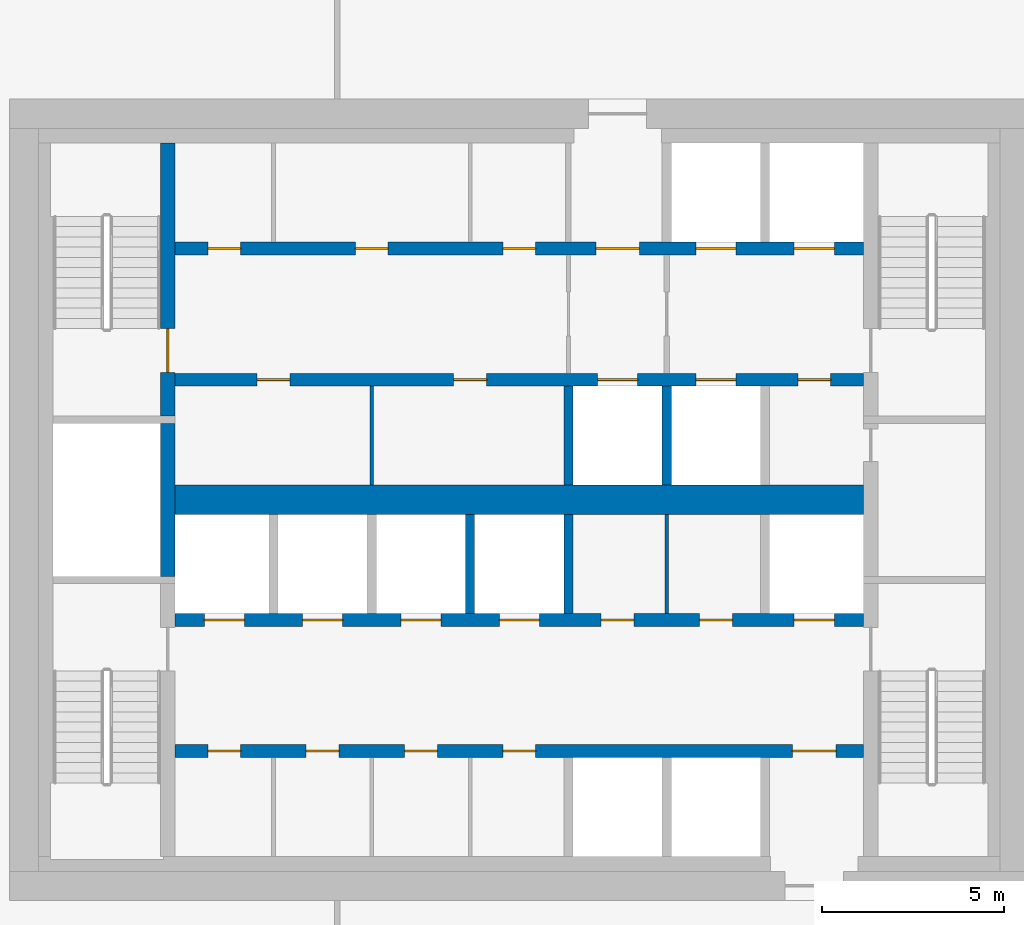
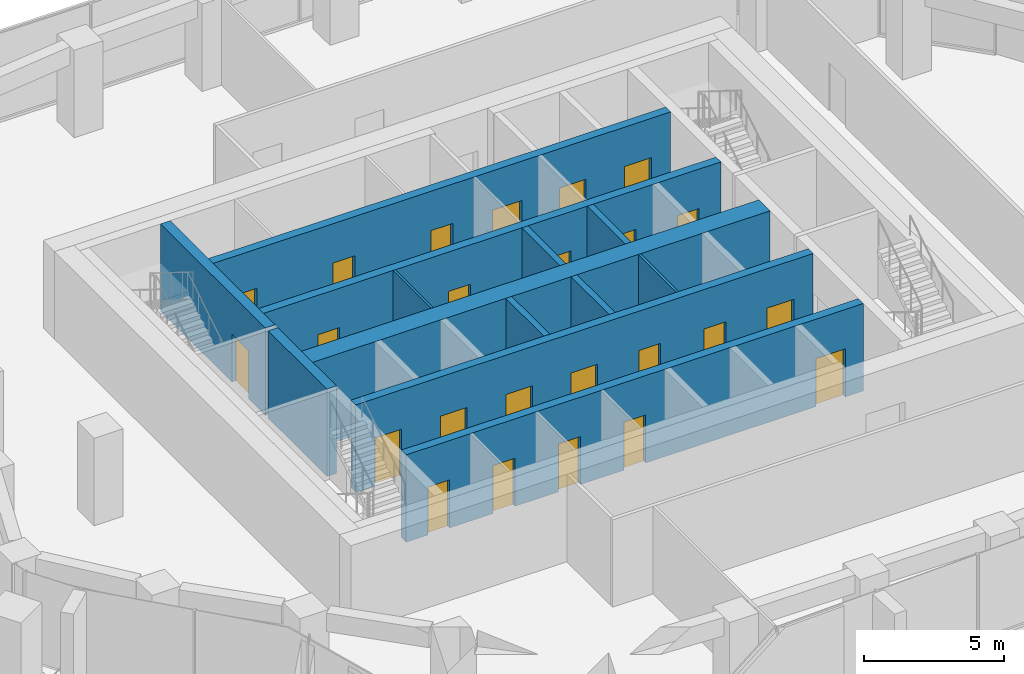
# One storey, part 12 of 18: 24 doors, 13 walls, 24 openings.
"""IFC4 building model written with IfcOpenShell, lengths in metres."""

from ifc_helpers import new_model, si_unit, direction, frame, frame_2d, origin, place, context, subcontext, project, spatial, rectangle, extrude, material, layer, layer_set, type_object, element, fill, save


model = new_model("IFC4")

# Units and contexts
model_context = context("Model", 3, precision=1e-05, world=origin(), true_north=direction((0.0, 1.0)))
body_context = subcontext(model_context, "Body", "Model", "MODEL_VIEW")
ifc_project = project(units=[si_unit("LENGTHUNIT", "METRE"), si_unit("AREAUNIT", "SQUARE_METRE"), si_unit("VOLUMEUNIT", "CUBIC_METRE"), si_unit("PLANEANGLEUNIT", "RADIAN"), si_unit("MASSUNIT", "GRAM", prefix="KILO")], contexts=[model_context])

# Site, building, storey
site_placement = place(None, origin())
site = spatial("IfcSite", under=ifc_project, at=site_placement, CompositionType="ELEMENT")
building_placement = place(site_placement, origin())
building = spatial("IfcBuilding", under=site, at=building_placement, Name="Dongbaek Canopy Tower", CompositionType="ELEMENT")
storey_placement = place(building_placement, frame((0.0, 0.0, 203.0)))
storey = spatial("IfcBuildingStorey", under=building, at=storey_placement, Name="L42", CompositionType="ELEMENT", Elevation=203.0)

# Wall
ifc_material_1 = material(Name="Concrete C60/75", Category="concrete")
ifc_layer_1 = layer(ifc_material_1, 0.800048828125)
ifc_layer_set_1 = layer_set([ifc_layer_1], Name="Core central wall 800 Concrete C60/75")
wall_type_1 = type_object("IfcWallType", Name="Core central wall 800 Concrete C60/75", PredefinedType="SHEAR", material=ifc_layer_set_1)
wall_1_placement = place(storey_placement, frame((-9.449951171875, 0.0, 0.0), z_axis=(0.0, 0.0, 1.0), x_axis=(1.0, 0.0, 0.0)))
element("IfcWall", 1, at=wall_1_placement, inside=storey, type_object=wall_type_1, Name="Core wall", PredefinedType="SHEAR", context=body_context, shape_type="SweptSolid", body=[
    extrude(rectangle(XDim=18.89990234375, YDim=0.800048828125, at=frame_2d((9.449951171875, 0.0))), origin(), (0.0, 0.0, 1.0), 3.820068359375),
])

# Wall, openings, doors
ifc_material_2 = material(Name="Concrete C60/75", Category="concrete")
ifc_layer_2 = layer(ifc_material_2, 0.35009765625)
ifc_layer_set_2 = layer_set([ifc_layer_2], Name="Core lobby wall 350 Concrete C60/75")
wall_type_2 = type_object("IfcWallType", Name="Core lobby wall 350 Concrete C60/75", PredefinedType="SHEAR", material=ifc_layer_set_2)
wall_2_placement = place(storey_placement, frame((-9.449951171875, 6.89990234375, 0.0), z_axis=(0.0, 0.0, 1.0), x_axis=(1.0, 0.0, 0.0)))
wall_2 = element("IfcWall", 2, at=wall_2_placement, inside=storey, type_object=wall_type_2, Name="Core wall", PredefinedType="SHEAR", context=body_context, shape_type="SweptSolid", body=[
    extrude(rectangle(XDim=18.89990234375, YDim=0.35009765625, at=frame_2d((9.449951171875, 0.0))), origin(), (0.0, 0.0, 1.0), 3.820068359375),
])
opening_1_placement = place(wall_2_placement, frame((11.550048828125, 0.0, 0.0)))
opening_1 = element("IfcOpeningElement", 3, at=opening_1_placement, cuts=wall_2, Name="Opening L42-D007", PredefinedType="OPENING", context=body_context, shape_type="SweptSolid", body=[
    extrude(rectangle(XDim=1.199951171875, YDim=2.10009765625, at=frame_2d((0.60009765625, 1.050048828125))), frame((0.0, 0.18505859375, 0.0), z_axis=(0.0, -1.0, 0.0), x_axis=(1.0, 0.0, 0.0)), (0.0, 0.0, 1.0), 0.3701171875),
])
opening_2_placement = place(wall_2_placement, frame((14.300048828125, 0.0, 0.0)))
opening_2 = element("IfcOpeningElement", 4, at=opening_2_placement, cuts=wall_2, Name="Opening L42-D008", PredefinedType="OPENING", context=body_context, shape_type="SweptSolid", body=[
    extrude(rectangle(XDim=1.10009765625, YDim=2.10009765625, at=frame_2d((0.550048828125, 1.050048828125))), frame((0.0, 0.18505859375, 0.0), z_axis=(0.0, -1.0, 0.0), x_axis=(1.0, 0.0, 0.0)), (0.0, 0.0, 1.0), 0.3701171875),
])
opening_3_placement = place(wall_2_placement, frame((17.0, 0.0, 0.0)))
opening_3 = element("IfcOpeningElement", 5, at=opening_3_placement, cuts=wall_2, Name="Opening L42-D009", PredefinedType="OPENING", context=body_context, shape_type="SweptSolid", body=[
    extrude(rectangle(XDim=1.10009765625, YDim=2.10009765625, at=frame_2d((0.550048828125, 1.050048828125))), frame((0.0, 0.18505859375, 0.0), z_axis=(0.0, -1.0, 0.0), x_axis=(1.0, 0.0, 0.0)), (0.0, 0.0, 1.0), 0.3701171875),
])
opening_4_placement = place(wall_2_placement, frame((0.89990234375, 0.0, 0.0)))
opening_4 = element("IfcOpeningElement", 6, at=opening_4_placement, cuts=wall_2, Name="Opening L42-D020", PredefinedType="OPENING", context=body_context, shape_type="SweptSolid", body=[
    extrude(rectangle(XDim=0.89990234375, YDim=2.10009765625, at=frame_2d((0.449951171875, 1.050048828125))), frame((0.0, 0.18505859375, 0.0), z_axis=(0.0, -1.0, 0.0), x_axis=(1.0, 0.0, 0.0)), (0.0, 0.0, 1.0), 0.3701171875),
])
opening_5_placement = place(wall_2_placement, frame((4.949951171875, 0.0, 0.0)))
opening_5 = element("IfcOpeningElement", 7, at=opening_5_placement, cuts=wall_2, Name="Opening L42-D021", PredefinedType="OPENING", context=body_context, shape_type="SweptSolid", body=[
    extrude(rectangle(XDim=0.89990234375, YDim=2.10009765625, at=frame_2d((0.449951171875, 1.050048828125))), frame((0.0, 0.18505859375, 0.0), z_axis=(0.0, -1.0, 0.0), x_axis=(1.0, 0.0, 0.0)), (0.0, 0.0, 1.0), 0.3701171875),
])
opening_6_placement = place(wall_2_placement, frame((9.0, 0.0, 0.0)))
opening_6 = element("IfcOpeningElement", 8, at=opening_6_placement, cuts=wall_2, Name="Opening L42-D022", PredefinedType="OPENING", context=body_context, shape_type="SweptSolid", body=[
    extrude(rectangle(XDim=0.89990234375, YDim=2.10009765625, at=frame_2d((0.449951171875, 1.050048828125))), frame((0.0, 0.18505859375, 0.0), z_axis=(0.0, -1.0, 0.0), x_axis=(1.0, 0.0, 0.0)), (0.0, 0.0, 1.0), 0.3701171875),
])
ifc_material_3 = material(Name="Steel", Category="steel")
door_type_1 = type_object("IfcDoorType", Name="Core room door 900 x 2100", OperationType="SINGLE_SWING_LEFT", PredefinedType="DOOR", material=ifc_material_3)
door_1_placement = place(opening_4_placement, origin())
door_1 = element("IfcDoor", 9, at=door_1_placement, inside=storey, type_object=door_type_1, Name="Door L42-D020", OperationType="SINGLE_SWING_RIGHT", OverallHeight=2.10009765625, OverallWidth=0.89990234375, PredefinedType="DOOR", context=body_context, shape_type="SweptSolid", body=[
    extrude(rectangle(XDim=0.89990234375, YDim=2.10009765625, at=frame_2d((0.449951171875, 1.050048828125))), frame((0.0, 0.02490234375, 0.0), z_axis=(0.0, -1.0, 0.0), x_axis=(1.0, 0.0, 0.0)), (0.0, 0.0, 1.0), 0.050048828125),
])
fill(opening_4, door_1)
door_2_placement = place(opening_5_placement, origin())
door_2 = element("IfcDoor", 10, at=door_2_placement, inside=storey, type_object=door_type_1, Name="Door L42-D021", OperationType="SINGLE_SWING_LEFT", OverallHeight=2.10009765625, OverallWidth=0.89990234375, PredefinedType="DOOR", context=body_context, shape_type="SweptSolid", body=[
    extrude(rectangle(XDim=0.89990234375, YDim=2.10009765625, at=frame_2d((0.449951171875, 1.050048828125))), frame((0.0, 0.02490234375, 0.0), z_axis=(0.0, -1.0, 0.0), x_axis=(1.0, 0.0, 0.0)), (0.0, 0.0, 1.0), 0.050048828125),
])
fill(opening_5, door_2)
door_3_placement = place(opening_6_placement, origin())
door_3 = element("IfcDoor", 11, at=door_3_placement, inside=storey, type_object=door_type_1, Name="Door L42-D022", OperationType="SINGLE_SWING_RIGHT", OverallHeight=2.10009765625, OverallWidth=0.89990234375, PredefinedType="DOOR", context=body_context, shape_type="SweptSolid", body=[
    extrude(rectangle(XDim=0.89990234375, YDim=2.10009765625, at=frame_2d((0.449951171875, 1.050048828125))), frame((0.0, 0.02490234375, 0.0), z_axis=(0.0, -1.0, 0.0), x_axis=(1.0, 0.0, 0.0)), (0.0, 0.0, 1.0), 0.050048828125),
])
fill(opening_6, door_3)
ifc_material_4 = material(Name="Steel", Category="steel")
door_type_2 = type_object("IfcDoorType", Name="Fire lobby door 1200 x 2100", OperationType="SINGLE_SWING_LEFT", PredefinedType="DOOR", material=ifc_material_4)
door_4_placement = place(opening_1_placement, origin())
door_4 = element("IfcDoor", 12, at=door_4_placement, inside=storey, type_object=door_type_2, Name="Door L42-D007", OperationType="SINGLE_SWING_LEFT", OverallHeight=2.10009765625, OverallWidth=1.199951171875, PredefinedType="DOOR", context=body_context, shape_type="SweptSolid", body=[
    extrude(rectangle(XDim=1.199951171875, YDim=2.10009765625, at=frame_2d((0.60009765625, 1.050048828125))), frame((0.0, 0.02490234375, 0.0), z_axis=(0.0, -1.0, 0.0), x_axis=(1.0, 0.0, 0.0)), (0.0, 0.0, 1.0), 0.050048828125),
])
fill(opening_1, door_4)
ifc_material_5 = material(Name="Stainless steel", Category="steel")
door_type_3 = type_object("IfcDoorType", Name="Lift landing door 1100 x 2100", OperationType="DOUBLE_DOOR_SLIDING", PredefinedType="DOOR", material=ifc_material_5)
door_5_placement = place(opening_2_placement, origin())
door_5 = element("IfcDoor", 13, at=door_5_placement, inside=storey, type_object=door_type_3, Name="Landing door FF1", OperationType="DOUBLE_DOOR_SLIDING", OverallHeight=2.10009765625, OverallWidth=1.10009765625, PredefinedType="DOOR", context=body_context, shape_type="SweptSolid", body=[
    extrude(rectangle(XDim=1.10009765625, YDim=2.10009765625, at=frame_2d((0.550048828125, 1.050048828125))), frame((0.0, 0.02490234375, 0.0), z_axis=(0.0, -1.0, 0.0), x_axis=(1.0, 0.0, 0.0)), (0.0, 0.0, 1.0), 0.050048828125),
])
fill(opening_2, door_5)
door_6_placement = place(opening_3_placement, origin())
door_6 = element("IfcDoor", 14, at=door_6_placement, inside=storey, type_object=door_type_3, Name="Landing door FF2", OperationType="DOUBLE_DOOR_SLIDING", OverallHeight=2.10009765625, OverallWidth=1.10009765625, PredefinedType="DOOR", context=body_context, shape_type="SweptSolid", body=[
    extrude(rectangle(XDim=1.10009765625, YDim=2.10009765625, at=frame_2d((0.550048828125, 1.050048828125))), frame((0.0, 0.02490234375, 0.0), z_axis=(0.0, -1.0, 0.0), x_axis=(1.0, 0.0, 0.0)), (0.0, 0.0, 1.0), 0.050048828125),
])
fill(opening_3, door_6)

wall_3_placement = place(storey_placement, frame((9.449951171875, 3.300048828125, 0.0), z_axis=(0.0, 0.0, 1.0), x_axis=(-1.0, 0.0, 0.0)))
wall_3 = element("IfcWall", 15, at=wall_3_placement, inside=storey, type_object=wall_type_2, Name="Core wall", PredefinedType="SHEAR", context=body_context, shape_type="SweptSolid", body=[
    extrude(rectangle(XDim=18.89990234375, YDim=0.35009765625, at=frame_2d((9.449951171875, 0.0))), origin(), (0.0, 0.0, 1.0), 3.820068359375),
])
opening_7_placement = place(wall_3_placement, frame((6.199951171875, 0.0, 0.0)))
opening_7 = element("IfcOpeningElement", 16, at=opening_7_placement, cuts=wall_3, Name="Opening L42-D010", PredefinedType="OPENING", context=body_context, shape_type="SweptSolid", body=[
    extrude(rectangle(XDim=1.10009765625, YDim=2.10009765625, at=frame_2d((0.550048828125, 1.050048828125))), frame((0.0, 0.18505859375, 0.0), z_axis=(0.0, -1.0, 0.0), x_axis=(1.0, 0.0, 0.0)), (0.0, 0.0, 1.0), 0.3701171875),
])
opening_8_placement = place(wall_3_placement, frame((3.5, 0.0, 0.0)))
opening_8 = element("IfcOpeningElement", 17, at=opening_8_placement, cuts=wall_3, Name="Opening L42-D011", PredefinedType="OPENING", context=body_context, shape_type="SweptSolid", body=[
    extrude(rectangle(XDim=1.10009765625, YDim=2.10009765625, at=frame_2d((0.550048828125, 1.050048828125))), frame((0.0, 0.18505859375, 0.0), z_axis=(0.0, -1.0, 0.0), x_axis=(1.0, 0.0, 0.0)), (0.0, 0.0, 1.0), 0.3701171875),
])
opening_9_placement = place(wall_3_placement, frame((0.89990234375, 0.0, 0.0)))
opening_9 = element("IfcOpeningElement", 18, at=opening_9_placement, cuts=wall_3, Name="Opening L42-D012", PredefinedType="OPENING", context=body_context, shape_type="SweptSolid", body=[
    extrude(rectangle(XDim=0.89990234375, YDim=2.10009765625, at=frame_2d((0.449951171875, 1.050048828125))), frame((0.0, 0.18505859375, 0.0), z_axis=(0.0, -1.0, 0.0), x_axis=(1.0, 0.0, 0.0)), (0.0, 0.0, 1.0), 0.3701171875),
])
opening_10_placement = place(wall_3_placement, frame((15.75, 0.0, 0.0)))
opening_10 = element("IfcOpeningElement", 19, at=opening_10_placement, cuts=wall_3, Name="Opening L42-D023", PredefinedType="OPENING", context=body_context, shape_type="SweptSolid", body=[
    extrude(rectangle(XDim=0.89990234375, YDim=2.10009765625, at=frame_2d((0.449951171875, 1.050048828125))), frame((0.0, 0.18505859375, 0.0), z_axis=(0.0, -1.0, 0.0), x_axis=(1.0, 0.0, 0.0)), (0.0, 0.0, 1.0), 0.3701171875),
])
opening_11_placement = place(wall_3_placement, frame((10.35009765625, 0.0, 0.0)))
opening_11 = element("IfcOpeningElement", 20, at=opening_11_placement, cuts=wall_3, Name="Opening L42-D024", PredefinedType="OPENING", context=body_context, shape_type="SweptSolid", body=[
    extrude(rectangle(XDim=0.89990234375, YDim=2.10009765625, at=frame_2d((0.449951171875, 1.050048828125))), frame((0.0, 0.18505859375, 0.0), z_axis=(0.0, -1.0, 0.0), x_axis=(1.0, 0.0, 0.0)), (0.0, 0.0, 1.0), 0.3701171875),
])
door_7_placement = place(opening_9_placement, origin())
door_7 = element("IfcDoor", 21, at=door_7_placement, inside=storey, type_object=door_type_1, Name="Door L42-D012", OperationType="SINGLE_SWING_LEFT", OverallHeight=2.10009765625, OverallWidth=0.89990234375, PredefinedType="DOOR", context=body_context, shape_type="SweptSolid", body=[
    extrude(rectangle(XDim=0.89990234375, YDim=2.10009765625, at=frame_2d((0.449951171875, 1.050048828125))), frame((0.0, 0.02490234375, 0.0), z_axis=(0.0, -1.0, 0.0), x_axis=(1.0, 0.0, 0.0)), (0.0, 0.0, 1.0), 0.050048828125),
])
fill(opening_9, door_7)
door_8_placement = place(opening_10_placement, origin())
door_8 = element("IfcDoor", 22, at=door_8_placement, inside=storey, type_object=door_type_1, Name="Door L42-D023", OperationType="SINGLE_SWING_LEFT", OverallHeight=2.10009765625, OverallWidth=0.89990234375, PredefinedType="DOOR", context=body_context, shape_type="SweptSolid", body=[
    extrude(rectangle(XDim=0.89990234375, YDim=2.10009765625, at=frame_2d((0.449951171875, 1.050048828125))), frame((0.0, 0.02490234375, 0.0), z_axis=(0.0, -1.0, 0.0), x_axis=(1.0, 0.0, 0.0)), (0.0, 0.0, 1.0), 0.050048828125),
])
fill(opening_10, door_8)
door_9_placement = place(opening_11_placement, origin())
door_9 = element("IfcDoor", 23, at=door_9_placement, inside=storey, type_object=door_type_1, Name="Door L42-D024", OperationType="SINGLE_SWING_RIGHT", OverallHeight=2.10009765625, OverallWidth=0.89990234375, PredefinedType="DOOR", context=body_context, shape_type="SweptSolid", body=[
    extrude(rectangle(XDim=0.89990234375, YDim=2.10009765625, at=frame_2d((0.449951171875, 1.050048828125))), frame((0.0, 0.02490234375, 0.0), z_axis=(0.0, -1.0, 0.0), x_axis=(1.0, 0.0, 0.0)), (0.0, 0.0, 1.0), 0.050048828125),
])
fill(opening_11, door_9)
door_10_placement = place(opening_7_placement, origin())
door_10 = element("IfcDoor", 24, at=door_10_placement, inside=storey, type_object=door_type_3, Name="Landing door SV1", OperationType="DOUBLE_DOOR_SLIDING", OverallHeight=2.10009765625, OverallWidth=1.10009765625, PredefinedType="DOOR", context=body_context, shape_type="SweptSolid", body=[
    extrude(rectangle(XDim=1.10009765625, YDim=2.10009765625, at=frame_2d((0.550048828125, 1.050048828125))), frame((0.0, 0.02490234375, 0.0), z_axis=(0.0, -1.0, 0.0), x_axis=(1.0, 0.0, 0.0)), (0.0, 0.0, 1.0), 0.050048828125),
])
fill(opening_7, door_10)
door_11_placement = place(opening_8_placement, origin())
door_11 = element("IfcDoor", 25, at=door_11_placement, inside=storey, type_object=door_type_3, Name="Landing door FF3", OperationType="DOUBLE_DOOR_SLIDING", OverallHeight=2.10009765625, OverallWidth=1.10009765625, PredefinedType="DOOR", context=body_context, shape_type="SweptSolid", body=[
    extrude(rectangle(XDim=1.10009765625, YDim=2.10009765625, at=frame_2d((0.550048828125, 1.050048828125))), frame((0.0, 0.02490234375, 0.0), z_axis=(0.0, -1.0, 0.0), x_axis=(1.0, 0.0, 0.0)), (0.0, 0.0, 1.0), 0.050048828125),
])
fill(opening_8, door_11)

wall_4_placement = place(storey_placement, frame((-9.449951171875, -3.300048828125, 0.0), z_axis=(0.0, 0.0, 1.0), x_axis=(1.0, 0.0, 0.0)))
wall_4 = element("IfcWall", 26, at=wall_4_placement, inside=storey, type_object=wall_type_2, Name="Core wall", PredefinedType="SHEAR", context=body_context, shape_type="SweptSolid", body=[
    extrude(rectangle(XDim=18.89990234375, YDim=0.35009765625, at=frame_2d((9.449951171875, 0.0))), origin(), (0.0, 0.0, 1.0), 3.820068359375),
])
opening_12_placement = place(wall_4_placement, frame((0.800048828125, 0.0, 0.0)))
opening_12 = element("IfcOpeningElement", 27, at=opening_12_placement, cuts=wall_4, Name="Opening L42-D013", PredefinedType="OPENING", context=body_context, shape_type="SweptSolid", body=[
    extrude(rectangle(XDim=1.10009765625, YDim=2.10009765625, at=frame_2d((0.550048828125, 1.050048828125))), frame((0.0, 0.18505859375, 0.0), z_axis=(0.0, -1.0, 0.0), x_axis=(1.0, 0.0, 0.0)), (0.0, 0.0, 1.0), 0.3701171875),
])
opening_13_placement = place(wall_4_placement, frame((3.5, 0.0, 0.0)))
opening_13 = element("IfcOpeningElement", 28, at=opening_13_placement, cuts=wall_4, Name="Opening L42-D014", PredefinedType="OPENING", context=body_context, shape_type="SweptSolid", body=[
    extrude(rectangle(XDim=1.10009765625, YDim=2.10009765625, at=frame_2d((0.550048828125, 1.050048828125))), frame((0.0, 0.18505859375, 0.0), z_axis=(0.0, -1.0, 0.0), x_axis=(1.0, 0.0, 0.0)), (0.0, 0.0, 1.0), 0.3701171875),
])
opening_14_placement = place(wall_4_placement, frame((6.199951171875, 0.0, 0.0)))
opening_14 = element("IfcOpeningElement", 29, at=opening_14_placement, cuts=wall_4, Name="Opening L42-D015", PredefinedType="OPENING", context=body_context, shape_type="SweptSolid", body=[
    extrude(rectangle(XDim=1.10009765625, YDim=2.10009765625, at=frame_2d((0.550048828125, 1.050048828125))), frame((0.0, 0.18505859375, 0.0), z_axis=(0.0, -1.0, 0.0), x_axis=(1.0, 0.0, 0.0)), (0.0, 0.0, 1.0), 0.3701171875),
])
opening_15_placement = place(wall_4_placement, frame((8.89990234375, 0.0, 0.0)))
opening_15 = element("IfcOpeningElement", 30, at=opening_15_placement, cuts=wall_4, Name="Opening L42-D016", PredefinedType="OPENING", context=body_context, shape_type="SweptSolid", body=[
    extrude(rectangle(XDim=1.10009765625, YDim=2.10009765625, at=frame_2d((0.550048828125, 1.050048828125))), frame((0.0, 0.18505859375, 0.0), z_axis=(0.0, -1.0, 0.0), x_axis=(1.0, 0.0, 0.0)), (0.0, 0.0, 1.0), 0.3701171875),
])
opening_16_placement = place(wall_4_placement, frame((17.0, 0.0, 0.0)))
opening_16 = element("IfcOpeningElement", 31, at=opening_16_placement, cuts=wall_4, Name="Opening L42-D017", PredefinedType="OPENING", context=body_context, shape_type="SweptSolid", body=[
    extrude(rectangle(XDim=1.10009765625, YDim=2.10009765625, at=frame_2d((0.550048828125, 1.050048828125))), frame((0.0, 0.18505859375, 0.0), z_axis=(0.0, -1.0, 0.0), x_axis=(1.0, 0.0, 0.0)), (0.0, 0.0, 1.0), 0.3701171875),
])
opening_17_placement = place(wall_4_placement, frame((11.699951171875, 0.0, 0.0)))
opening_17 = element("IfcOpeningElement", 32, at=opening_17_placement, cuts=wall_4, Name="Opening L42-D025", PredefinedType="OPENING", context=body_context, shape_type="SweptSolid", body=[
    extrude(rectangle(XDim=0.89990234375, YDim=2.10009765625, at=frame_2d((0.449951171875, 1.050048828125))), frame((0.0, 0.18505859375, 0.0), z_axis=(0.0, -1.0, 0.0), x_axis=(1.0, 0.0, 0.0)), (0.0, 0.0, 1.0), 0.3701171875),
])
opening_18_placement = place(wall_4_placement, frame((14.39990234375, 0.0, 0.0)))
opening_18 = element("IfcOpeningElement", 33, at=opening_18_placement, cuts=wall_4, Name="Opening L42-D026", PredefinedType="OPENING", context=body_context, shape_type="SweptSolid", body=[
    extrude(rectangle(XDim=0.89990234375, YDim=2.10009765625, at=frame_2d((0.449951171875, 1.050048828125))), frame((0.0, 0.18505859375, 0.0), z_axis=(0.0, -1.0, 0.0), x_axis=(1.0, 0.0, 0.0)), (0.0, 0.0, 1.0), 0.3701171875),
])
door_12_placement = place(opening_17_placement, origin())
door_12 = element("IfcDoor", 34, at=door_12_placement, inside=storey, type_object=door_type_1, Name="Door L42-D025", OperationType="SINGLE_SWING_LEFT", OverallHeight=2.10009765625, OverallWidth=0.89990234375, PredefinedType="DOOR", context=body_context, shape_type="SweptSolid", body=[
    extrude(rectangle(XDim=0.89990234375, YDim=2.10009765625, at=frame_2d((0.449951171875, 1.050048828125))), frame((0.0, 0.02490234375, 0.0), z_axis=(0.0, -1.0, 0.0), x_axis=(1.0, 0.0, 0.0)), (0.0, 0.0, 1.0), 0.050048828125),
])
fill(opening_17, door_12)
door_13_placement = place(opening_18_placement, origin())
door_13 = element("IfcDoor", 35, at=door_13_placement, inside=storey, type_object=door_type_1, Name="Door L42-D026", OperationType="SINGLE_SWING_RIGHT", OverallHeight=2.10009765625, OverallWidth=0.89990234375, PredefinedType="DOOR", context=body_context, shape_type="SweptSolid", body=[
    extrude(rectangle(XDim=0.89990234375, YDim=2.10009765625, at=frame_2d((0.449951171875, 1.050048828125))), frame((0.0, 0.02490234375, 0.0), z_axis=(0.0, -1.0, 0.0), x_axis=(1.0, 0.0, 0.0)), (0.0, 0.0, 1.0), 0.050048828125),
])
fill(opening_18, door_13)
door_14_placement = place(opening_12_placement, origin())
door_14 = element("IfcDoor", 36, at=door_14_placement, inside=storey, type_object=door_type_3, Name="Landing door MR1", OperationType="DOUBLE_DOOR_SLIDING", OverallHeight=2.10009765625, OverallWidth=1.10009765625, PredefinedType="DOOR", context=body_context, shape_type="SweptSolid", body=[
    extrude(rectangle(XDim=1.10009765625, YDim=2.10009765625, at=frame_2d((0.550048828125, 1.050048828125))), frame((0.0, 0.02490234375, 0.0), z_axis=(0.0, -1.0, 0.0), x_axis=(1.0, 0.0, 0.0)), (0.0, 0.0, 1.0), 0.050048828125),
])
fill(opening_12, door_14)
door_15_placement = place(opening_13_placement, origin())
door_15 = element("IfcDoor", 37, at=door_15_placement, inside=storey, type_object=door_type_3, Name="Landing door MR2", OperationType="DOUBLE_DOOR_SLIDING", OverallHeight=2.10009765625, OverallWidth=1.10009765625, PredefinedType="DOOR", context=body_context, shape_type="SweptSolid", body=[
    extrude(rectangle(XDim=1.10009765625, YDim=2.10009765625, at=frame_2d((0.550048828125, 1.050048828125))), frame((0.0, 0.02490234375, 0.0), z_axis=(0.0, -1.0, 0.0), x_axis=(1.0, 0.0, 0.0)), (0.0, 0.0, 1.0), 0.050048828125),
])
fill(opening_13, door_15)
door_16_placement = place(opening_14_placement, origin())
door_16 = element("IfcDoor", 38, at=door_16_placement, inside=storey, type_object=door_type_3, Name="Landing door MR3", OperationType="DOUBLE_DOOR_SLIDING", OverallHeight=2.10009765625, OverallWidth=1.10009765625, PredefinedType="DOOR", context=body_context, shape_type="SweptSolid", body=[
    extrude(rectangle(XDim=1.10009765625, YDim=2.10009765625, at=frame_2d((0.550048828125, 1.050048828125))), frame((0.0, 0.02490234375, 0.0), z_axis=(0.0, -1.0, 0.0), x_axis=(1.0, 0.0, 0.0)), (0.0, 0.0, 1.0), 0.050048828125),
])
fill(opening_14, door_16)
door_17_placement = place(opening_15_placement, origin())
door_17 = element("IfcDoor", 39, at=door_17_placement, inside=storey, type_object=door_type_3, Name="Landing door MR4", OperationType="DOUBLE_DOOR_SLIDING", OverallHeight=2.10009765625, OverallWidth=1.10009765625, PredefinedType="DOOR", context=body_context, shape_type="SweptSolid", body=[
    extrude(rectangle(XDim=1.10009765625, YDim=2.10009765625, at=frame_2d((0.550048828125, 1.050048828125))), frame((0.0, 0.02490234375, 0.0), z_axis=(0.0, -1.0, 0.0), x_axis=(1.0, 0.0, 0.0)), (0.0, 0.0, 1.0), 0.050048828125),
])
fill(opening_15, door_17)
door_18_placement = place(opening_16_placement, origin())
door_18 = element("IfcDoor", 40, at=door_18_placement, inside=storey, type_object=door_type_3, Name="Landing door SV2", OperationType="DOUBLE_DOOR_SLIDING", OverallHeight=2.10009765625, OverallWidth=1.10009765625, PredefinedType="DOOR", context=body_context, shape_type="SweptSolid", body=[
    extrude(rectangle(XDim=1.10009765625, YDim=2.10009765625, at=frame_2d((0.550048828125, 1.050048828125))), frame((0.0, 0.02490234375, 0.0), z_axis=(0.0, -1.0, 0.0), x_axis=(1.0, 0.0, 0.0)), (0.0, 0.0, 1.0), 0.050048828125),
])
fill(opening_16, door_18)

wall_5_placement = place(storey_placement, frame((9.449951171875, -6.89990234375, 0.0), z_axis=(0.0, 0.0, 1.0), x_axis=(-1.0, 0.0, 0.0)))
wall_5 = element("IfcWall", 41, at=wall_5_placement, inside=storey, type_object=wall_type_2, Name="Core wall", PredefinedType="SHEAR", context=body_context, shape_type="SweptSolid", body=[
    extrude(rectangle(XDim=18.89990234375, YDim=0.35009765625, at=frame_2d((9.449951171875, 0.0))), origin(), (0.0, 0.0, 1.0), 3.820068359375),
])
opening_19_placement = place(wall_5_placement, frame((0.75, 0.0, 0.0)))
opening_19 = element("IfcOpeningElement", 42, at=opening_19_placement, cuts=wall_5, Name="Opening L42-D019", PredefinedType="OPENING", context=body_context, shape_type="SweptSolid", body=[
    extrude(rectangle(XDim=1.199951171875, YDim=2.10009765625, at=frame_2d((0.60009765625, 1.050048828125))), frame((0.0, 0.18505859375, 0.0), z_axis=(0.0, -1.0, 0.0), x_axis=(1.0, 0.0, 0.0)), (0.0, 0.0, 1.0), 0.3701171875),
])
opening_20_placement = place(wall_5_placement, frame((17.10009765625, 0.0, 0.0)))
opening_20 = element("IfcOpeningElement", 43, at=opening_20_placement, cuts=wall_5, Name="Opening L42-D027", PredefinedType="OPENING", context=body_context, shape_type="SweptSolid", body=[
    extrude(rectangle(XDim=0.89990234375, YDim=2.10009765625, at=frame_2d((0.449951171875, 1.050048828125))), frame((0.0, 0.18505859375, 0.0), z_axis=(0.0, -1.0, 0.0), x_axis=(1.0, 0.0, 0.0)), (0.0, 0.0, 1.0), 0.3701171875),
])
opening_21_placement = place(wall_5_placement, frame((14.39990234375, 0.0, 0.0)))
opening_21 = element("IfcOpeningElement", 44, at=opening_21_placement, cuts=wall_5, Name="Opening L42-D028", PredefinedType="OPENING", context=body_context, shape_type="SweptSolid", body=[
    extrude(rectangle(XDim=0.89990234375, YDim=2.10009765625, at=frame_2d((0.449951171875, 1.050048828125))), frame((0.0, 0.18505859375, 0.0), z_axis=(0.0, -1.0, 0.0), x_axis=(1.0, 0.0, 0.0)), (0.0, 0.0, 1.0), 0.3701171875),
])
opening_22_placement = place(wall_5_placement, frame((11.699951171875, 0.0, 0.0)))
opening_22 = element("IfcOpeningElement", 45, at=opening_22_placement, cuts=wall_5, Name="Opening L42-D029", PredefinedType="OPENING", context=body_context, shape_type="SweptSolid", body=[
    extrude(rectangle(XDim=0.89990234375, YDim=2.10009765625, at=frame_2d((0.449951171875, 1.050048828125))), frame((0.0, 0.18505859375, 0.0), z_axis=(0.0, -1.0, 0.0), x_axis=(1.0, 0.0, 0.0)), (0.0, 0.0, 1.0), 0.3701171875),
])
opening_23_placement = place(wall_5_placement, frame((9.0, 0.0, 0.0)))
opening_23 = element("IfcOpeningElement", 46, at=opening_23_placement, cuts=wall_5, Name="Opening L42-D030", PredefinedType="OPENING", context=body_context, shape_type="SweptSolid", body=[
    extrude(rectangle(XDim=0.89990234375, YDim=2.10009765625, at=frame_2d((0.449951171875, 1.050048828125))), frame((0.0, 0.18505859375, 0.0), z_axis=(0.0, -1.0, 0.0), x_axis=(1.0, 0.0, 0.0)), (0.0, 0.0, 1.0), 0.3701171875),
])
door_19_placement = place(opening_20_placement, origin())
door_19 = element("IfcDoor", 47, at=door_19_placement, inside=storey, type_object=door_type_1, Name="Door L42-D027", OperationType="SINGLE_SWING_LEFT", OverallHeight=2.10009765625, OverallWidth=0.89990234375, PredefinedType="DOOR", context=body_context, shape_type="SweptSolid", body=[
    extrude(rectangle(XDim=0.89990234375, YDim=2.10009765625, at=frame_2d((0.449951171875, 1.050048828125))), frame((0.0, 0.02490234375, 0.0), z_axis=(0.0, -1.0, 0.0), x_axis=(1.0, 0.0, 0.0)), (0.0, 0.0, 1.0), 0.050048828125),
])
fill(opening_20, door_19)
door_20_placement = place(opening_21_placement, origin())
door_20 = element("IfcDoor", 48, at=door_20_placement, inside=storey, type_object=door_type_1, Name="Door L42-D028", OperationType="SINGLE_SWING_RIGHT", OverallHeight=2.10009765625, OverallWidth=0.89990234375, PredefinedType="DOOR", context=body_context, shape_type="SweptSolid", body=[
    extrude(rectangle(XDim=0.89990234375, YDim=2.10009765625, at=frame_2d((0.449951171875, 1.050048828125))), frame((0.0, 0.02490234375, 0.0), z_axis=(0.0, -1.0, 0.0), x_axis=(1.0, 0.0, 0.0)), (0.0, 0.0, 1.0), 0.050048828125),
])
fill(opening_21, door_20)
door_21_placement = place(opening_22_placement, origin())
door_21 = element("IfcDoor", 49, at=door_21_placement, inside=storey, type_object=door_type_1, Name="Door L42-D029", OperationType="SINGLE_SWING_LEFT", OverallHeight=2.10009765625, OverallWidth=0.89990234375, PredefinedType="DOOR", context=body_context, shape_type="SweptSolid", body=[
    extrude(rectangle(XDim=0.89990234375, YDim=2.10009765625, at=frame_2d((0.449951171875, 1.050048828125))), frame((0.0, 0.02490234375, 0.0), z_axis=(0.0, -1.0, 0.0), x_axis=(1.0, 0.0, 0.0)), (0.0, 0.0, 1.0), 0.050048828125),
])
fill(opening_22, door_21)
door_22_placement = place(opening_23_placement, origin())
door_22 = element("IfcDoor", 50, at=door_22_placement, inside=storey, type_object=door_type_1, Name="Door L42-D030", OperationType="SINGLE_SWING_RIGHT", OverallHeight=2.10009765625, OverallWidth=0.89990234375, PredefinedType="DOOR", context=body_context, shape_type="SweptSolid", body=[
    extrude(rectangle(XDim=0.89990234375, YDim=2.10009765625, at=frame_2d((0.449951171875, 1.050048828125))), frame((0.0, 0.02490234375, 0.0), z_axis=(0.0, -1.0, 0.0), x_axis=(1.0, 0.0, 0.0)), (0.0, 0.0, 1.0), 0.050048828125),
])
fill(opening_23, door_22)
door_23_placement = place(opening_19_placement, origin())
door_23 = element("IfcDoor", 51, at=door_23_placement, inside=storey, type_object=door_type_2, Name="Door L42-D019", OperationType="SINGLE_SWING_LEFT", OverallHeight=2.10009765625, OverallWidth=1.199951171875, PredefinedType="DOOR", context=body_context, shape_type="SweptSolid", body=[
    extrude(rectangle(XDim=1.199951171875, YDim=2.10009765625, at=frame_2d((0.60009765625, 1.050048828125))), frame((0.0, 0.02490234375, 0.0), z_axis=(0.0, -1.0, 0.0), x_axis=(1.0, 0.0, 0.0)), (0.0, 0.0, 1.0), 0.050048828125),
])
fill(opening_19, door_23)

# Walls
ifc_material_6 = material(Name="Concrete C40/50", Category="concrete")
ifc_layer_3 = layer(ifc_material_6, 0.25)
ifc_layer_set_3 = layer_set([ifc_layer_3], Name="Lift shaft wall 250 Concrete C40/50")
wall_type_3 = type_object("IfcWallType", Name="Lift shaft wall 250 Concrete C40/50", PredefinedType="SOLIDWALL", material=ifc_layer_set_3)
for number, where, z_axis, x_axis, name in (
    (52, (4.050048828125, 0.39990234375, 0.0), (0.0, 0.0, 1.0), (0.0, 1.0, 0.0), "Lift shaft wall"),
    (53, (1.35009765625, -3.125, 0.0), (0.0, 0.0, 1.0), (0.0, 1.0, 0.0), "Lift shaft wall"),
    (54, (1.35009765625, 0.39990234375, 0.0), (0.0, 0.0, 1.0), (0.0, 1.0, 0.0), "Lift shaft wall"),
    (55, (-1.35009765625, -3.125, 0.0), (0.0, 0.0, 1.0), (0.0, 1.0, 0.0), "Lift shaft wall"),
):
    element("IfcWall", number, at=place(storey_placement, frame(where, z_axis=z_axis, x_axis=x_axis)), inside=storey, type_object=wall_type_3, Name=name, PredefinedType="SOLIDWALL", context=body_context, shape_type="SweptSolid", body=[
        extrude(rectangle(XDim=2.72509765625, YDim=0.25, at=frame_2d((1.362548828125, 0.0))), origin(), (0.0, 0.0, 1.0), 3.820068359375),
    ])
ifc_material_7 = material(Name="Gypsum board partition, steel stud, 2 x 12.5 mm board", Category="steel")
ifc_layer_4 = layer(ifc_material_7, 0.10009765625)
ifc_layer_set_4 = layer_set([ifc_layer_4], Name="Partition 100 gypsum board")
wall_type_4 = type_object("IfcWallType", Name="Partition 100 gypsum board", PredefinedType="PARTITIONING", material=ifc_layer_set_4)
for number, where, z_axis, x_axis, name in (
    (56, (4.050048828125, -3.125, 0.0), (0.0, 0.0, 1.0), (0.0, 1.0, 0.0), "Core partition"),
    (57, (-4.050048828125, 0.39990234375, 0.0), (0.0, 0.0, 1.0), (0.0, 1.0, 0.0), "Core partition"),
):
    element("IfcWall", number, at=place(storey_placement, frame(where, z_axis=z_axis, x_axis=x_axis)), inside=storey, type_object=wall_type_4, Name=name, PredefinedType="PARTITIONING", context=body_context, shape_type="SweptSolid", body=[
        extrude(rectangle(XDim=2.72509765625, YDim=0.10009765625, at=frame_2d((1.362548828125, 0.0))), origin(), (0.0, 0.0, 1.0), 3.820068359375),
    ])
ifc_material_8 = material(Name="Concrete C60/75", Category="concrete")
ifc_layer_5 = layer(ifc_material_8, 0.39990234375)
ifc_layer_set_5 = layer_set([ifc_layer_5], Name="Stair wall 400 Concrete C60/75")
wall_type_5 = type_object("IfcWallType", Name="Stair wall 400 Concrete C60/75", PredefinedType="SHEAR", material=ifc_layer_set_5)
wall_6_placement = place(storey_placement, frame((-9.64990234375, -2.10009765625, 0.0), z_axis=(0.0, 0.0, 1.0), x_axis=(0.0, 1.0, 0.0)))
element("IfcWall", 58, at=wall_6_placement, inside=storey, type_object=wall_type_5, Name="Stair wall", PredefinedType="SHEAR", context=body_context, shape_type="SweptSolid", body=[
    extrude(rectangle(XDim=4.2001953125, YDim=0.39990234375, at=frame_2d((2.10009765625, 0.0))), origin(), (0.0, 0.0, 1.0), 3.820068359375),
])

# Wall, opening, door
wall_7_placement = place(storey_placement, frame((-9.64990234375, 2.300048828125, 0.0), z_axis=(0.0, 0.0, 1.0), x_axis=(0.0, 1.0, 0.0)))
wall_7 = element("IfcWall", 59, at=wall_7_placement, inside=storey, type_object=wall_type_5, Name="Stair wall", PredefinedType="SHEAR", context=body_context, shape_type="SweptSolid", body=[
    extrude(rectangle(XDim=7.5, YDim=0.39990234375, at=frame_2d((3.75, 0.0))), origin(), (0.0, 0.0, 1.0), 3.820068359375),
])
opening_24_placement = place(wall_7_placement, frame((1.199951171875, 0.0, 0.0)))
opening_24 = element("IfcOpeningElement", 60, at=opening_24_placement, cuts=wall_7, Name="Opening L42-D032", PredefinedType="OPENING", context=body_context, shape_type="SweptSolid", body=[
    extrude(rectangle(XDim=1.199951171875, YDim=2.10009765625, at=frame_2d((0.60009765625, 1.050048828125))), frame((0.0, 0.2099609375, 0.0), z_axis=(0.0, -1.0, 0.0), x_axis=(1.0, 0.0, 0.0)), (0.0, 0.0, 1.0), 0.419921875),
])
ifc_material_9 = material(Name="Steel", Category="steel")
door_type_4 = type_object("IfcDoorType", Name="Stair door 1200 x 2100", OperationType="SINGLE_SWING_LEFT", PredefinedType="DOOR", material=ifc_material_9)
door_24_placement = place(opening_24_placement, origin())
door_24 = element("IfcDoor", 61, at=door_24_placement, inside=storey, type_object=door_type_4, Name="Stair C door", OperationType="SINGLE_SWING_RIGHT", OverallHeight=2.10009765625, OverallWidth=1.199951171875, PredefinedType="DOOR", context=body_context, shape_type="SweptSolid", body=[
    extrude(rectangle(XDim=1.199951171875, YDim=2.10009765625, at=frame_2d((0.60009765625, 1.050048828125))), frame((0.0, 0.02490234375, 0.0), z_axis=(0.0, -1.0, 0.0), x_axis=(1.0, 0.0, 0.0)), (0.0, 0.0, 1.0), 0.050048828125),
])
fill(opening_24, door_24)

save(model, "model.ifc")
